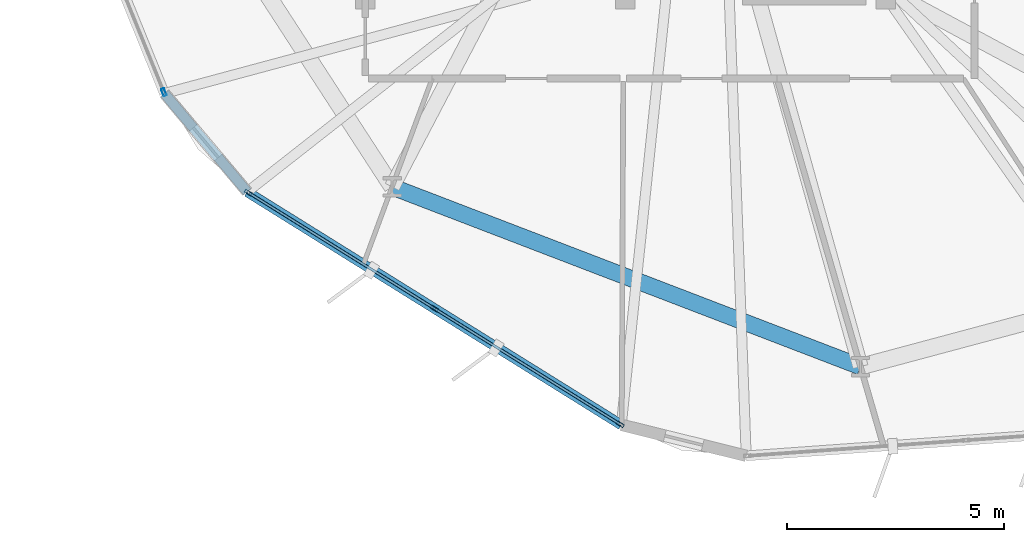
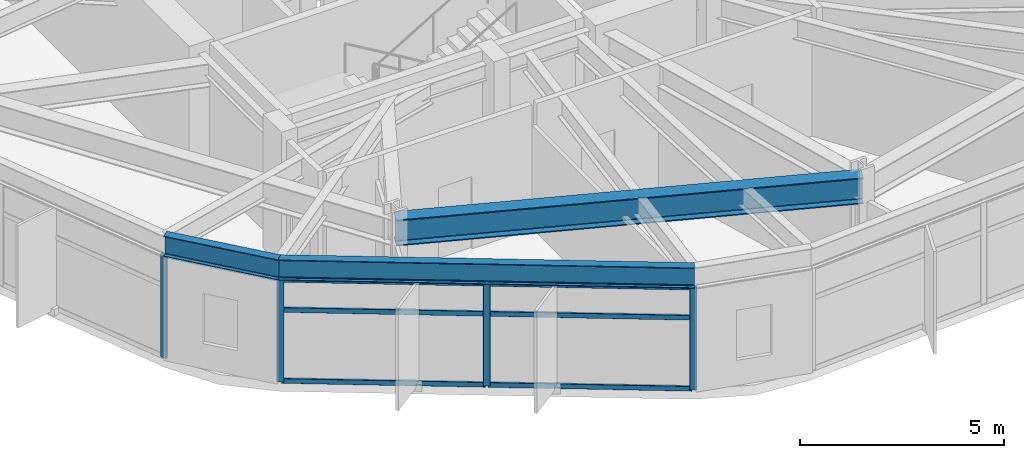
# One storey, part 2 of 22: 10 members, 3 beams, 2 elements without a shape of their own.
"""IFC4 building model written with IfcOpenShell, lengths in metres."""

from ifc_helpers import new_model, si_unit, direction, frame, origin, origin_2d, place, context, subcontext, project, spatial, hollow_rectangle, i_section, extrude, material, layer, layer_set, material_profile, profile_set, type_object, element, aggregate, save


model = new_model("IFC4")

# Units and contexts
model_context = context("Model", 3, precision=1e-05, world=origin(), true_north=direction((0.0, 1.0)))
body_context = subcontext(model_context, "Body", "Model", "MODEL_VIEW")
ifc_project = project(units=[si_unit("LENGTHUNIT", "METRE"), si_unit("AREAUNIT", "SQUARE_METRE"), si_unit("VOLUMEUNIT", "CUBIC_METRE"), si_unit("PLANEANGLEUNIT", "RADIAN"), si_unit("MASSUNIT", "GRAM", prefix="KILO")], contexts=[model_context])

# Site, building, storey
site_placement = place(None, origin())
site = spatial("IfcSite", under=ifc_project, at=site_placement, CompositionType="ELEMENT")
building_placement = place(site_placement, origin())
building = spatial("IfcBuilding", under=site, at=building_placement, Name="Soratama Intermodal Tower", CompositionType="ELEMENT")
storey_placement = place(building_placement, frame((0.0, 0.0, 42.60009765625)))
storey = spatial("IfcBuildingStorey", under=building, at=storey_placement, Name="L09", CompositionType="ELEMENT", Elevation=42.60009765625)

# Beams
ifc_material_1 = material(Name="Structural steel ASTM A992 Grade 50", Category="steel")
ifc_material_profile_1 = material_profile(ifc_material_1, i_section(OverallWidth=0.382080078125, OverallDepth=0.779052734375, WebThickness=0.01806640625, FlangeThickness=0.030029296875, FilletRadius=0.01806640625, at=origin_2d()), Name="W30X191")
ifc_profile_set_1 = profile_set([ifc_material_profile_1], Name="Structural steel ASTM A992 Grade 50")
beam_type_1 = type_object("IfcBeamType", Name="BM-RING-W30X191", PredefinedType="BEAM", material=ifc_profile_set_1)
beam_1_placement = place(storey_placement, frame((33.218994140625, 10.451904296875, 3.310302734375), z_axis=(0.933584159632, -0.358358224246, 0.0), x_axis=(0.358358224246, 0.933584159632, 0.0)))
element("IfcBeam", 1, at=beam_1_placement, inside=storey, type_object=beam_type_1, Name="BM-L09-RING-07", PredefinedType="BEAM", context=body_context, shape_type="SweptSolid", body=[
    extrude(i_section(OverallWidth=0.382080078125, OverallDepth=0.779052734375, WebThickness=0.01806640625, FlangeThickness=0.030029296875, FilletRadius=0.01806640625, at=origin_2d()), origin(), (0.0, 0.0, 1.0), 11.5693359375),
])
ifc_material_2 = material(Name="Structural steel ASTM A992 Grade 50", Category="steel")
ifc_material_profile_2 = material_profile(ifc_material_2, i_section(OverallWidth=0.22900390625, OverallDepth=0.612060546875, WebThickness=0.011962890625, FlangeThickness=0.01953125, FilletRadius=0.012939453125, at=origin_2d()), Name="W24X84")
ifc_profile_set_2 = profile_set([ifc_material_profile_2], Name="Structural steel ASTM A992 Grade 50")
beam_type_2 = type_object("IfcBeamType", Name="BM-SPN-W24X84", PredefinedType="SPANDREL", material=ifc_profile_set_2)
beam_2_placement = place(storey_placement, frame((27.967041015625, 12.60595703125, 3.393798828125), z_axis=(0.643803699037, -0.765190693295, 0.0), x_axis=(0.765190693295, 0.643803699037, 0.0)))
element("IfcBeam", 2, at=beam_2_placement, inside=storey, type_object=beam_type_2, Name="BS-L09-CRN06", PredefinedType="SPANDREL", context=body_context, shape_type="SweptSolid", body=[
    extrude(i_section(OverallWidth=0.22900390625, OverallDepth=0.612060546875, WebThickness=0.011962890625, FlangeThickness=0.01953125, FilletRadius=0.012939453125, at=origin_2d()), origin(), (0.0, 0.0, 1.0), 2.966552734375),
])
beam_3_placement = place(storey_placement, frame((29.876953125, 10.3359375, 3.393798828125), z_axis=(0.848769194793, -0.528763514221, 0.0), x_axis=(0.528763514221, 0.848769194793, 0.0)))
element("IfcBeam", 3, at=beam_3_placement, inside=storey, type_object=beam_type_2, Name="BS-L09-F07", PredefinedType="SPANDREL", context=body_context, shape_type="SweptSolid", body=[
    extrude(i_section(OverallWidth=0.22900390625, OverallDepth=0.612060546875, WebThickness=0.011962890625, FlangeThickness=0.01953125, FilletRadius=0.012939453125, at=origin_2d()), origin(), (0.0, 0.0, 1.0), 10.165283203125),
])

# Curtain wall, member
ifc_material_3 = material(Name="Double-glazed aluminium curtain wall", Category="aluminium")
ifc_layer = layer(ifc_material_3, 0.159912109375)
ifc_layer_set = layer_set([ifc_layer], Name="Double-glazed aluminium curtain wall")
curtain_wall_type = type_object("IfcCurtainWallType", Name="CW-SYS-2", PredefinedType="NOTDEFINED", material=ifc_layer_set)
curtain_wall_1_placement = place(storey_placement, origin())
curtain_wall_1 = element("IfcCurtainWall", 4, at=curtain_wall_1_placement, inside=storey, type_object=curtain_wall_type, Name="L09 Faceted Curtain Wall F06", PredefinedType="NOTDEFINED")
ifc_material_4 = material(Name="Anodised aluminium AA 6063-T6", Category="aluminium")
ifc_material_profile_3 = material_profile(ifc_material_4, hollow_rectangle(XDim=0.074951171875, YDim=0.179931640625, WallThickness=0.006103515625, InnerFilletRadius=0.006103515625, OuterFilletRadius=0.011962890625, at=origin_2d()), Name="CWM180X75X6")
ifc_profile_set_3 = profile_set([ifc_material_profile_3], Name="Anodised aluminium AA 6063-T6")
member_type_1 = type_object("IfcMemberType", Name="MT-CWM-2", PredefinedType="MULLION", material=ifc_profile_set_3)
member_1_placement = place(storey_placement, frame((27.955810546875, 12.633544921875, 0.0), z_axis=(0.0, 0.0, 1.0), x_axis=(0.926656948494, 0.375908100215, 0.0)))
member_1 = element("IfcMember", 5, at=member_1_placement, type_object=member_type_1, Name="CW-2 mullion 3", PredefinedType="MULLION", context=body_context, shape_type="SweptSolid", body=[
    extrude(hollow_rectangle(XDim=0.074951171875, YDim=0.179931640625, WallThickness=0.006103515625, InnerFilletRadius=0.006103515625, OuterFilletRadius=0.011962890625, at=origin_2d()), origin(), (0.0, 0.0, 1.0), 3.078857421875),
])
aggregate(curtain_wall_1, [member_1])

# Curtain wall, members
curtain_wall_2_placement = place(storey_placement, origin())
curtain_wall_2 = element("IfcCurtainWall", 6, at=curtain_wall_2_placement, inside=storey, type_object=curtain_wall_type, Name="L09 Faceted Curtain Wall F07", PredefinedType="NOTDEFINED")
member_2_placement = place(storey_placement, frame((29.902587890625, 10.320068359375, 0.0), z_axis=(0.0, 0.0, 1.0), x_axis=(0.528734733527, 0.848787123819, 0.0)))
member_2 = element("IfcMember", 7, at=member_2_placement, type_object=member_type_1, Name="CW-2 mullion 1", PredefinedType="MULLION", context=body_context, shape_type="SweptSolid", body=[
    extrude(hollow_rectangle(XDim=0.074951171875, YDim=0.179931640625, WallThickness=0.006103515625, InnerFilletRadius=0.006103515625, OuterFilletRadius=0.011962890625, at=origin_2d()), origin(), (0.0, 0.0, 1.0), 3.078857421875),
])
member_3_placement = place(storey_placement, frame((34.191162109375, 7.6484375, 0.0), z_axis=(0.0, 0.0, 1.0), x_axis=(0.528734733527, 0.848787123819, 0.0)))
member_3 = element("IfcMember", 8, at=member_3_placement, type_object=member_type_1, Name="CW-2 mullion 2", PredefinedType="MULLION", context=body_context, shape_type="SweptSolid", body=[
    extrude(hollow_rectangle(XDim=0.074951171875, YDim=0.179931640625, WallThickness=0.006103515625, InnerFilletRadius=0.006103515625, OuterFilletRadius=0.011962890625, at=origin_2d()), origin(), (0.0, 0.0, 1.0), 3.078857421875),
])
member_4_placement = place(storey_placement, frame((38.479736328125, 4.97705078125, 0.0), z_axis=(0.0, 0.0, 1.0), x_axis=(0.528734733527, 0.848787123819, 0.0)))
member_4 = element("IfcMember", 9, at=member_4_placement, type_object=member_type_1, Name="CW-2 mullion 3", PredefinedType="MULLION", context=body_context, shape_type="SweptSolid", body=[
    extrude(hollow_rectangle(XDim=0.074951171875, YDim=0.179931640625, WallThickness=0.006103515625, InnerFilletRadius=0.006103515625, OuterFilletRadius=0.011962890625, at=origin_2d()), origin(), (0.0, 0.0, 1.0), 3.078857421875),
])
ifc_material_5 = material(Name="Anodised aluminium AA 6063-T6", Category="aluminium")
ifc_material_profile_4 = material_profile(ifc_material_5, hollow_rectangle(XDim=0.06494140625, YDim=0.14990234375, WallThickness=0.0048828125, InnerFilletRadius=0.0048828125, OuterFilletRadius=0.010009765625, at=origin_2d()), Name="CWT150X65X5")
ifc_profile_set_4 = profile_set([ifc_material_profile_4], Name="Anodised aluminium AA 6063-T6")
member_type_2 = type_object("IfcMemberType", Name="TT-CWT-1", PredefinedType="USERDEFINED", material=ifc_profile_set_4)
member_5_placement = place(storey_placement, frame((29.92822265625, 10.30419921875, 0.02978515625), z_axis=(0.848769376128, -0.528763223142, 0.0), x_axis=(0.528763223142, 0.848769376128, 0.0)))
member_5 = element("IfcMember", 10, at=member_5_placement, type_object=member_type_2, Name="CW-2 transom 1.1", ObjectType="TRANSOM", PredefinedType="USERDEFINED", context=body_context, shape_type="SweptSolid", body=[
    extrude(hollow_rectangle(XDim=0.06494140625, YDim=0.14990234375, WallThickness=0.0048828125, InnerFilletRadius=0.0048828125, OuterFilletRadius=0.010009765625, at=origin_2d()), origin(), (0.0, 0.0, 1.0), 4.99267578125),
])
member_6_placement = place(storey_placement, frame((29.92822265625, 10.30419921875, 2.14990234375), z_axis=(0.848769376128, -0.528763223142, 0.0), x_axis=(0.528763223142, 0.848769376128, 0.0)))
member_6 = element("IfcMember", 11, at=member_6_placement, type_object=member_type_2, Name="CW-2 transom 1.2", ObjectType="TRANSOM", PredefinedType="USERDEFINED", context=body_context, shape_type="SweptSolid", body=[
    extrude(hollow_rectangle(XDim=0.06494140625, YDim=0.14990234375, WallThickness=0.0048828125, InnerFilletRadius=0.0048828125, OuterFilletRadius=0.010009765625, at=origin_2d()), origin(), (0.0, 0.0, 1.0), 4.99267578125),
])
member_7_placement = place(storey_placement, frame((29.92822265625, 10.30419921875, 3.048828125), z_axis=(0.848769376128, -0.528763223142, 0.0), x_axis=(0.528763223142, 0.848769376128, 0.0)))
member_7 = element("IfcMember", 12, at=member_7_placement, type_object=member_type_2, Name="CW-2 transom 1.3", ObjectType="TRANSOM", PredefinedType="USERDEFINED", context=body_context, shape_type="SweptSolid", body=[
    extrude(hollow_rectangle(XDim=0.06494140625, YDim=0.14990234375, WallThickness=0.0048828125, InnerFilletRadius=0.0048828125, OuterFilletRadius=0.010009765625, at=origin_2d()), origin(), (0.0, 0.0, 1.0), 4.99267578125),
])
member_8_placement = place(storey_placement, frame((34.216796875, 7.632568359375, 0.02978515625), z_axis=(0.8487913225, -0.528727993252, 0.0), x_axis=(0.528727993252, 0.8487913225, 0.0)))
member_8 = element("IfcMember", 13, at=member_8_placement, type_object=member_type_2, Name="CW-2 transom 2.1", ObjectType="TRANSOM", PredefinedType="USERDEFINED", context=body_context, shape_type="SweptSolid", body=[
    extrude(hollow_rectangle(XDim=0.06494140625, YDim=0.14990234375, WallThickness=0.0048828125, InnerFilletRadius=0.0048828125, OuterFilletRadius=0.010009765625, at=origin_2d()), origin(), (0.0, 0.0, 1.0), 4.992431640625),
])
member_9_placement = place(storey_placement, frame((34.216796875, 7.632568359375, 2.14990234375), z_axis=(0.8487913225, -0.528727993252, 0.0), x_axis=(0.528727993252, 0.8487913225, 0.0)))
member_9 = element("IfcMember", 14, at=member_9_placement, type_object=member_type_2, Name="CW-2 transom 2.2", ObjectType="TRANSOM", PredefinedType="USERDEFINED", context=body_context, shape_type="SweptSolid", body=[
    extrude(hollow_rectangle(XDim=0.06494140625, YDim=0.14990234375, WallThickness=0.0048828125, InnerFilletRadius=0.0048828125, OuterFilletRadius=0.010009765625, at=origin_2d()), origin(), (0.0, 0.0, 1.0), 4.992431640625),
])
member_10_placement = place(storey_placement, frame((34.216796875, 7.632568359375, 3.048828125), z_axis=(0.8487913225, -0.528727993252, 0.0), x_axis=(0.528727993252, 0.8487913225, 0.0)))
member_10 = element("IfcMember", 15, at=member_10_placement, type_object=member_type_2, Name="CW-2 transom 2.3", ObjectType="TRANSOM", PredefinedType="USERDEFINED", context=body_context, shape_type="SweptSolid", body=[
    extrude(hollow_rectangle(XDim=0.06494140625, YDim=0.14990234375, WallThickness=0.0048828125, InnerFilletRadius=0.0048828125, OuterFilletRadius=0.010009765625, at=origin_2d()), origin(), (0.0, 0.0, 1.0), 4.992431640625),
])
aggregate(curtain_wall_2, [member_2, member_3, member_4, member_5, member_6, member_7, member_8, member_9, member_10])

save(model, "model.ifc")
